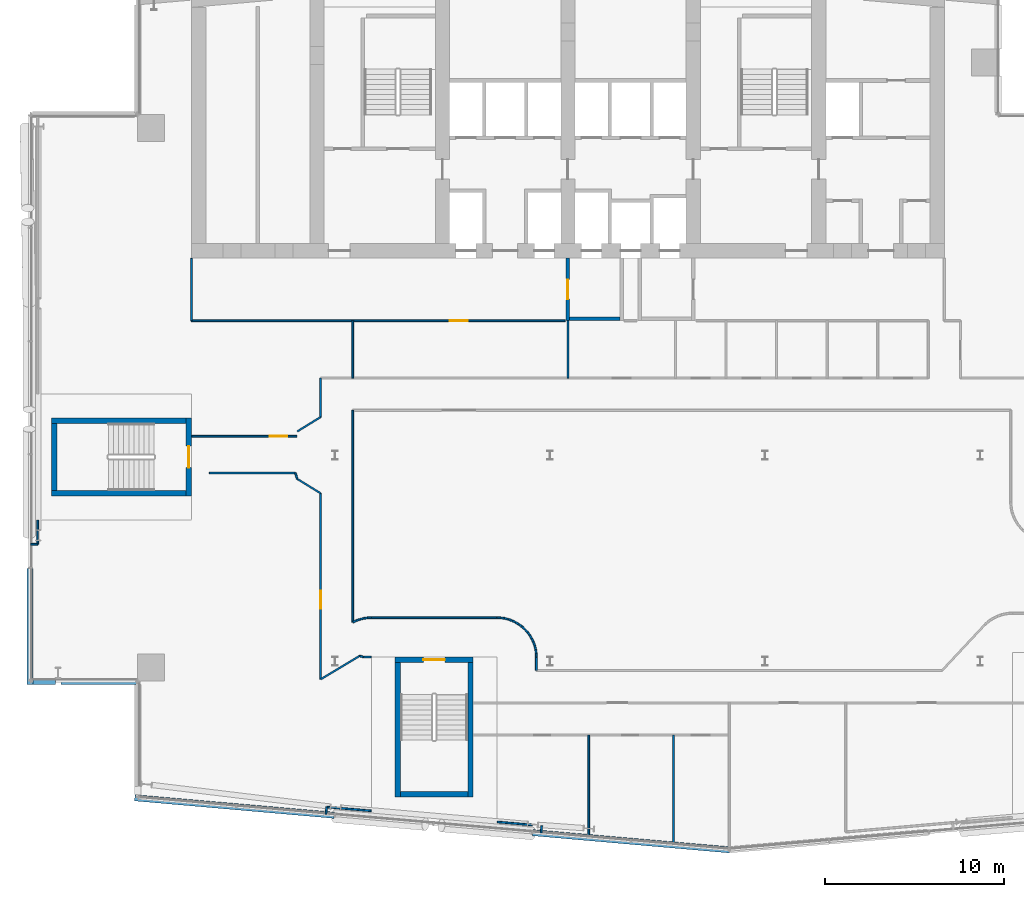
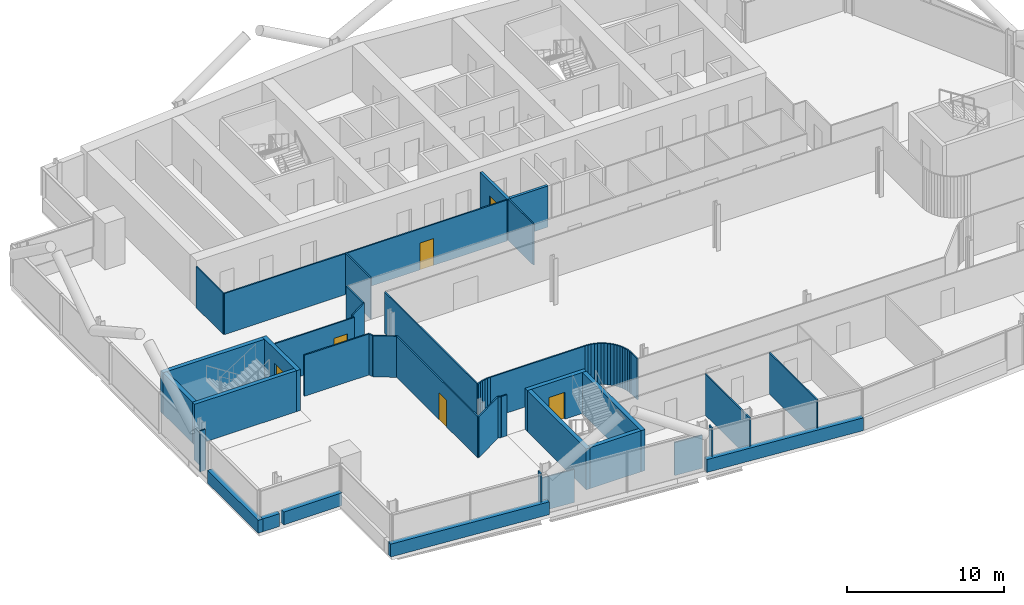
# One storey, part 15 of 29: 61 walls, 6 doors, 6 openings.
"""IFC4 building model written with IfcOpenShell, lengths in metres."""

from ifc_helpers import new_model, si_unit, direction, frame, frame_2d, origin, place, context, subcontext, project, spatial, rectangle, extrude, material, layer, layer_set, type_object, element, fill, save


model = new_model("IFC4")

# Units and contexts
model_context = context("Model", 3, precision=1e-05, world=origin(), true_north=direction((0.0, 1.0)))
body_context = subcontext(model_context, "Body", "Model", "MODEL_VIEW")
ifc_project = project(units=[si_unit("LENGTHUNIT", "METRE"), si_unit("AREAUNIT", "SQUARE_METRE"), si_unit("VOLUMEUNIT", "CUBIC_METRE"), si_unit("PLANEANGLEUNIT", "RADIAN"), si_unit("MASSUNIT", "GRAM", prefix="KILO")], contexts=[model_context])

# Site, building, storey
site_placement = place(None, origin())
site = spatial("IfcSite", under=ifc_project, at=site_placement, CompositionType="ELEMENT")
building_placement = place(site_placement, origin())
building = spatial("IfcBuilding", under=site, at=building_placement, Name="Wharfspan Tower", CompositionType="ELEMENT")
storey_placement = place(building_placement, frame((0.0, 0.0, 155.5)))
storey = spatial("IfcBuildingStorey", under=building, at=storey_placement, Name="L37", CompositionType="ELEMENT", Elevation=155.5)

# Wall
ifc_material_1 = material(Name="Gypsum board on steel studs", Category="steel")
ifc_layer_1 = layer(ifc_material_1, 0.100098)
ifc_layer_set_1 = layer_set([ifc_layer_1], Name="Gypsum board on steel studs")
wall_type_1 = type_object("IfcWallType", Name="Compartment wall 100 EI 60", PredefinedType="PARTITIONING", material=ifc_layer_set_1)
wall_1_placement = place(storey_placement, frame((16.0, 30.5, 0.0), z_axis=(0.0, 0.0, 1.0), x_axis=(0.0, 1.0, 0.0)))
element("IfcWall", 1, at=wall_1_placement, inside=storey, type_object=wall_type_1, Name="Partition L37.w004", PredefinedType="PARTITIONING", context=body_context, shape_type="SweptSolid", body=[
    extrude(rectangle(XDim=3.47998, YDim=0.100098, at=frame_2d((1.73999, 0.0))), origin(), (0.0, 0.0, 1.0), 3.199951),
])

# Wall, opening, door
wall_2_placement = place(storey_placement, frame((16.0, 30.5, 0.0), z_axis=(0.0, 0.0, 1.0), x_axis=(1.0, 0.0, 0.0)))
wall_2 = element("IfcWall", 2, at=wall_2_placement, inside=storey, type_object=wall_type_1, Name="Partition L37.w005", PredefinedType="PARTITIONING", context=body_context, shape_type="SweptSolid", body=[
    extrude(rectangle(XDim=20.850098, YDim=0.100098, at=frame_2d((10.425049, 0.0))), origin(), (0.0, 0.0, 1.0), 3.199951),
])
opening_1_placement = place(wall_2_placement, frame((14.419922, 0.0, 0.0)))
opening_1 = element("IfcOpeningElement", 3, at=opening_1_placement, cuts=wall_2, Name="Opening C2-18", PredefinedType="OPENING", context=body_context, shape_type="SweptSolid", body=[
    extrude(rectangle(XDim=1.0, YDim=2.100098, at=frame_2d((0.5, 1.050049))), frame((0.0, 0.060059, 0.0), z_axis=(0.0, -1.0, 0.0), x_axis=(1.0, 0.0, 0.0)), (0.0, 0.0, 1.0), 0.120117),
])
ifc_material_2 = material(Name="Fire-rated timber door leaf in steel frame", Category="steel")
door_type_1 = type_object("IfcDoorType", Name="Door 1000 FD30S Left", OperationType="SINGLE_SWING_LEFT", PredefinedType="DOOR", material=ifc_material_2)
door_1_placement = place(opening_1_placement, origin())
door_1 = element("IfcDoor", 4, at=door_1_placement, inside=storey, type_object=door_type_1, Name="Door C2-18", OperationType="SINGLE_SWING_LEFT", OverallHeight=2.100098, OverallWidth=1.0, PredefinedType="DOOR", context=body_context, shape_type="SweptSolid", body=[
    extrude(rectangle(XDim=1.0, YDim=2.100098, at=frame_2d((0.5, 1.050049))), frame((0.0, 0.024902, 0.0), z_axis=(0.0, -1.0, 0.0), x_axis=(1.0, 0.0, 0.0)), (0.0, 0.0, 1.0), 0.050049),
])
fill(opening_1, door_1)

# Wall
wall_3_placement = place(storey_placement, frame((17.0, 22.0, 0.0), z_axis=(0.0, 0.0, 1.0), x_axis=(1.0, 0.0, 0.0)))
element("IfcWall", 5, at=wall_3_placement, inside=storey, type_object=wall_type_1, Name="Partition L37.w006", PredefinedType="PARTITIONING", context=body_context, shape_type="SweptSolid", body=[
    extrude(rectangle(XDim=4.794922, YDim=0.100098, at=frame_2d((2.397461, 0.0))), origin(), (0.0, 0.0, 1.0), 3.199951),
])

# Wall, opening, door
wall_4_placement = place(storey_placement, frame((16.02002, 24.050049, 0.0), z_axis=(0.0, 0.0, 1.0), x_axis=(1.0, 0.0, 0.0)))
wall_4 = element("IfcWall", 6, at=wall_4_placement, inside=storey, type_object=wall_type_1, Name="Partition L37.w007", PredefinedType="PARTITIONING", context=body_context, shape_type="SweptSolid", body=[
    extrude(rectangle(XDim=5.85498, YDim=0.100098, at=frame_2d((2.92749, 0.0))), origin(), (0.0, 0.0, 1.0), 3.199951),
])
opening_2_placement = place(wall_4_placement, frame((4.33252, 0.0, 0.0)))
opening_2 = element("IfcOpeningElement", 7, at=opening_2_placement, cuts=wall_4, Name="Opening C2-09", PredefinedType="OPENING", context=body_context, shape_type="SweptSolid", body=[
    extrude(rectangle(XDim=1.0, YDim=2.100098, at=frame_2d((0.5, 1.050049))), frame((0.0, 0.060059, 0.0), z_axis=(0.0, -1.0, 0.0), x_axis=(1.0, 0.0, 0.0)), (0.0, 0.0, 1.0), 0.120117),
])
door_type_2 = type_object("IfcDoorType", Name="Door 1000 FD30S Right", OperationType="SINGLE_SWING_RIGHT", PredefinedType="DOOR", material=ifc_material_2)
door_2_placement = place(opening_2_placement, origin())
door_2 = element("IfcDoor", 8, at=door_2_placement, inside=storey, type_object=door_type_2, Name="Door C2-09", OperationType="SINGLE_SWING_RIGHT", OverallHeight=2.100098, OverallWidth=1.0, PredefinedType="DOOR", context=body_context, shape_type="SweptSolid", body=[
    extrude(rectangle(XDim=1.0, YDim=2.100098, at=frame_2d((0.5, 1.050049))), frame((0.0, 0.024902, 0.0), z_axis=(0.0, -1.0, 0.0), x_axis=(1.0, 0.0, 0.0)), (0.0, 0.0, 1.0), 0.050049),
])
fill(opening_2, door_2)

# Walls
wall_5_placement = place(storey_placement, frame((21.899902, 21.675049, 0.0), z_axis=(0.0, 0.0, 1.0), x_axis=(-0.30742, 0.951572, 0.0)))
element("IfcWall", 9, at=wall_5_placement, inside=storey, type_object=wall_type_1, Name="Partition L37.w008", PredefinedType="PARTITIONING", context=body_context, shape_type="SweptSolid", body=[
    extrude(rectangle(XDim=0.341553, YDim=0.100098, at=frame_2d((0.170898, 0.0))), origin(), (0.0, 0.0, 1.0), 3.199951),
])
for number, where, z_axis, x_axis, name in (
    (10, (21.899902, 24.324951, 0.0), (0.0, 0.0, 1.0), (0.851649, 0.524104, 0.0), "Partition L37.w009"),
    (11, (23.199951, 20.875, 0.0), (0.0, 0.0, 1.0), (-0.851649, 0.524104, 0.0), "Partition L37.w010"),
):
    element("IfcWall", number, at=place(storey_placement, frame(where, z_axis=z_axis, x_axis=x_axis)), inside=storey, type_object=wall_type_1, Name=name, PredefinedType="PARTITIONING", context=body_context, shape_type="SweptSolid", body=[
        extrude(rectangle(XDim=1.526611, YDim=0.100098, at=frame_2d((0.763184, 0.0))), origin(), (0.0, 0.0, 1.0), 3.199951),
    ])
wall_6_placement = place(storey_placement, frame((23.199951, 10.495117, 0.0), z_axis=(0.0, 0.0, 1.0), x_axis=(0.857707, 0.514145, 0.0)))
element("IfcWall", 12, at=wall_6_placement, inside=storey, type_object=wall_type_1, Name="Partition L37.w011", PredefinedType="PARTITIONING", context=body_context, shape_type="SweptSolid", body=[
    extrude(rectangle(XDim=2.547607, YDim=0.100098, at=frame_2d((1.273926, 0.0))), origin(), (0.0, 0.0, 1.0), 3.199951),
])

# Wall, opening, door
wall_7_placement = place(storey_placement, frame((23.199951, 10.495117, 0.0), z_axis=(0.0, 0.0, 1.0), x_axis=(0.0, 1.0, 0.0)))
wall_7 = element("IfcWall", 13, at=wall_7_placement, inside=storey, type_object=wall_type_1, Name="Partition L37.w012", PredefinedType="PARTITIONING", context=body_context, shape_type="SweptSolid", body=[
    extrude(rectangle(XDim=10.379883, YDim=0.100098, at=frame_2d((5.189941, 0.0))), origin(), (0.0, 0.0, 1.0), 3.199951),
])
opening_3_placement = place(wall_7_placement, frame((3.947998, 0.0, 0.0)))
opening_3 = element("IfcOpeningElement", 14, at=opening_3_placement, cuts=wall_7, Name="Opening C2-07", PredefinedType="OPENING", context=body_context, shape_type="SweptSolid", body=[
    extrude(rectangle(XDim=1.0, YDim=2.100098, at=frame_2d((0.5, 1.050049))), frame((0.0, 0.060059, 0.0), z_axis=(0.0, -1.0, 0.0), x_axis=(1.0, 0.0, 0.0)), (0.0, 0.0, 1.0), 0.120117),
])
door_3_placement = place(opening_3_placement, origin())
door_3 = element("IfcDoor", 15, at=door_3_placement, inside=storey, type_object=door_type_1, Name="Door C2-07", OperationType="SINGLE_SWING_LEFT", OverallHeight=2.100098, OverallWidth=1.0, PredefinedType="DOOR", context=body_context, shape_type="SweptSolid", body=[
    extrude(rectangle(XDim=1.0, YDim=2.100098, at=frame_2d((0.5, 1.050049))), frame((0.0, 0.024902, 0.0), z_axis=(0.0, -1.0, 0.0), x_axis=(1.0, 0.0, 0.0)), (0.0, 0.0, 1.0), 0.050049),
])
fill(opening_3, door_3)

# Walls
wall_8_placement = place(storey_placement, frame((23.199951, 25.125, 0.0), z_axis=(0.0, 0.0, 1.0), x_axis=(0.0, 1.0, 0.0)))
element("IfcWall", 16, at=wall_8_placement, inside=storey, type_object=wall_type_1, Name="Partition L37.w013", PredefinedType="PARTITIONING", context=body_context, shape_type="SweptSolid", body=[
    extrude(rectangle(XDim=2.175049, YDim=0.100098, at=frame_2d((1.087402, 0.0))), origin(), (0.0, 0.0, 1.0), 3.199951),
])
wall_9_placement = place(storey_placement, frame((25.0, 27.300049, 0.0), z_axis=(0.0, 0.0, 1.0), x_axis=(0.0, 1.0, 0.0)))
element("IfcWall", 17, at=wall_9_placement, inside=storey, type_object=wall_type_1, Name="Partition L37.w016", PredefinedType="PARTITIONING", context=body_context, shape_type="SweptSolid", body=[
    extrude(rectangle(XDim=3.199951, YDim=0.100098, at=frame_2d((1.600098, 0.0))), origin(), (0.0, 0.0, 1.0), 3.199951),
])
wall_10_placement = place(storey_placement, frame((25.0, 13.675049, 0.0), z_axis=(0.0, 0.0, 1.0), x_axis=(0.0, 1.0, 0.0)))
element("IfcWall", 18, at=wall_10_placement, inside=storey, type_object=wall_type_1, Name="Partition L37.w017", PredefinedType="PARTITIONING", context=body_context, shape_type="SweptSolid", body=[
    extrude(rectangle(XDim=11.824951, YDim=0.100098, at=frame_2d((5.912598, 0.0))), origin(), (0.0, 0.0, 1.0), 3.199951),
])
wall_11_placement = place(storey_placement, frame((25.0, 13.675049, 0.0), z_axis=(0.0, 0.0, 1.0), x_axis=(0.899103, 0.437736, 0.0)))
element("IfcWall", 19, at=wall_11_placement, inside=storey, type_object=wall_type_1, Name="Partition L37.w018", PredefinedType="PARTITIONING", context=body_context, shape_type="SweptSolid", body=[
    extrude(rectangle(XDim=0.217041, YDim=0.100098, at=frame_2d((0.108398, 0.0))), origin(), (0.0, 0.0, 1.0), 3.199951),
])
wall_12_placement = place(storey_placement, frame((25.195068, 13.77002, 0.0), z_axis=(0.0, 0.0, 1.0), x_axis=(0.94617, 0.32366, 0.0)))
element("IfcWall", 20, at=wall_12_placement, inside=storey, type_object=wall_type_1, Name="Partition L37.w020", PredefinedType="PARTITIONING", context=body_context, shape_type="SweptSolid", body=[
    extrude(rectangle(XDim=0.216553, YDim=0.100098, at=frame_2d((0.108398, 0.0))), origin(), (0.0, 0.0, 1.0), 3.199951),
])
wall_13_placement = place(storey_placement, frame((25.399902, 13.840088, 0.0), z_axis=(0.0, 0.0, 1.0), x_axis=(0.967508, 0.252833, 0.0)))
element("IfcWall", 21, at=wall_13_placement, inside=storey, type_object=wall_type_1, Name="Partition L37.w021", PredefinedType="PARTITIONING", context=body_context, shape_type="SweptSolid", body=[
    extrude(rectangle(XDim=0.217285, YDim=0.100098, at=frame_2d((0.108643, 0.0))), origin(), (0.0, 0.0, 1.0), 3.199951),
])
wall_14_placement = place(storey_placement, frame((25.590088, 11.735107, 0.0), z_axis=(0.0, 0.0, 1.0), x_axis=(1.0, 0.0, 0.0)))
element("IfcWall", 22, at=wall_14_placement, inside=storey, type_object=wall_type_1, Name="Partition L37.w022", PredefinedType="PARTITIONING", context=body_context, shape_type="SweptSolid", body=[
    extrude(rectangle(XDim=0.429199, YDim=0.100098, at=frame_2d((0.2146, 0.0))), origin(), (0.0, 0.0, 1.0), 3.199951),
])
wall_15_placement = place(storey_placement, frame((25.590088, 11.735107, 0.0), z_axis=(0.0, 0.0, 1.0), x_axis=(-0.946633, 0.322306, 0.0)))
element("IfcWall", 23, at=wall_15_placement, inside=storey, type_object=wall_type_1, Name="Partition L37.w023", PredefinedType="PARTITIONING", context=body_context, shape_type="SweptSolid", body=[
    extrude(rectangle(XDim=0.216553, YDim=0.100098, at=frame_2d((0.108398, 0.0))), origin(), (0.0, 0.0, 1.0), 3.199951),
])
wall_16_placement = place(storey_placement, frame((25.610107, 13.89502, 0.0), z_axis=(0.0, 0.0, 1.0), x_axis=(0.990372, 0.138427, 0.0)))
element("IfcWall", 24, at=wall_16_placement, inside=storey, type_object=wall_type_1, Name="Partition L37.w024", PredefinedType="PARTITIONING", context=body_context, shape_type="SweptSolid", body=[
    extrude(rectangle(XDim=0.217041, YDim=0.100098, at=frame_2d((0.108398, 0.0))), origin(), (0.0, 0.0, 1.0), 3.199951),
])
wall_17_placement = place(storey_placement, frame((25.824951, 13.925049, 0.0), z_axis=(0.0, 0.0, 1.0), x_axis=(0.998923, 0.046488, 0.0)))
element("IfcWall", 25, at=wall_17_placement, inside=storey, type_object=wall_type_1, Name="Partition L37.w025", PredefinedType="PARTITIONING", context=body_context, shape_type="SweptSolid", body=[
    extrude(rectangle(XDim=0.215332, YDim=0.100098, at=frame_2d((0.107666, 0.0))), origin(), (0.0, 0.0, 1.0), 3.199951),
])
wall_18_placement = place(storey_placement, frame((26.040039, 13.935059, 0.0), z_axis=(0.0, 0.0, 1.0), x_axis=(1.0, 0.0, 0.0)))
element("IfcWall", 26, at=wall_18_placement, inside=storey, type_object=wall_type_1, Name="Partition L37.w027", PredefinedType="PARTITIONING", context=body_context, shape_type="SweptSolid", body=[
    extrude(rectangle(XDim=7.0, YDim=0.100098, at=frame_2d((3.5, 0.0))), origin(), (0.0, 0.0, 1.0), 3.199951),
])
wall_19_placement = place(storey_placement, frame((33.254883, 13.925049, 0.0), z_axis=(0.0, 0.0, 1.0), x_axis=(-0.998912, 0.04654, 0.0)))
element("IfcWall", 27, at=wall_19_placement, inside=storey, type_object=wall_type_1, Name="Partition L37.w030", PredefinedType="PARTITIONING", context=body_context, shape_type="SweptSolid", body=[
    extrude(rectangle(XDim=0.215088, YDim=0.100098, at=frame_2d((0.107422, 0.0))), origin(), (0.0, 0.0, 1.0), 3.199951),
])
wall_20_placement = place(storey_placement, frame((33.469971, 13.89502, 0.0), z_axis=(0.0, 0.0, 1.0), x_axis=(-0.990394, 0.138273, 0.0)))
element("IfcWall", 28, at=wall_20_placement, inside=storey, type_object=wall_type_1, Name="Partition L37.w031", PredefinedType="PARTITIONING", context=body_context, shape_type="SweptSolid", body=[
    extrude(rectangle(XDim=0.217285, YDim=0.100098, at=frame_2d((0.108643, 0.0))), origin(), (0.0, 0.0, 1.0), 3.199951),
])
wall_21_placement = place(storey_placement, frame((33.679932, 13.840088, 0.0), z_axis=(0.0, 0.0, 1.0), x_axis=(-0.967435, 0.253108, 0.0)))
element("IfcWall", 29, at=wall_21_placement, inside=storey, type_object=wall_type_1, Name="Partition L37.w032", PredefinedType="PARTITIONING", context=body_context, shape_type="SweptSolid", body=[
    extrude(rectangle(XDim=0.217041, YDim=0.100098, at=frame_2d((0.108398, 0.0))), origin(), (0.0, 0.0, 1.0), 3.199951),
])
wall_22_placement = place(storey_placement, frame((33.879883, 13.77002, 0.0), z_axis=(0.0, 0.0, 1.0), x_axis=(-0.943736, 0.330711, 0.0)))
element("IfcWall", 30, at=wall_22_placement, inside=storey, type_object=wall_type_1, Name="Partition L37.w033", PredefinedType="PARTITIONING", context=body_context, shape_type="SweptSolid", body=[
    extrude(rectangle(XDim=0.211914, YDim=0.100098, at=frame_2d((0.105957, 0.0))), origin(), (0.0, 0.0, 1.0), 3.199951),
])
wall_23_placement = place(storey_placement, frame((34.074951, 13.675049, 0.0), z_axis=(0.0, 0.0, 1.0), x_axis=(-0.899103, 0.437736, 0.0)))
element("IfcWall", 31, at=wall_23_placement, inside=storey, type_object=wall_type_1, Name="Partition L37.w034", PredefinedType="PARTITIONING", context=body_context, shape_type="SweptSolid", body=[
    extrude(rectangle(XDim=0.217041, YDim=0.100098, at=frame_2d((0.108398, 0.0))), origin(), (0.0, 0.0, 1.0), 3.199951),
])
wall_24_placement = place(storey_placement, frame((34.26001, 13.564941, 0.0), z_axis=(0.0, 0.0, 1.0), x_axis=(-0.859387, 0.511324, 0.0)))
element("IfcWall", 32, at=wall_24_placement, inside=storey, type_object=wall_type_1, Name="Partition L37.w035", PredefinedType="PARTITIONING", context=body_context, shape_type="SweptSolid", body=[
    extrude(rectangle(XDim=0.215332, YDim=0.100098, at=frame_2d((0.107666, 0.0))), origin(), (0.0, 0.0, 1.0), 3.199951),
])
wall_25_placement = place(storey_placement, frame((34.435059, 13.435059, 0.0), z_axis=(0.0, 0.0, 1.0), x_axis=(-0.803079, 0.595869, 0.0)))
element("IfcWall", 33, at=wall_25_placement, inside=storey, type_object=wall_type_1, Name="Partition L37.w036", PredefinedType="PARTITIONING", context=body_context, shape_type="SweptSolid", body=[
    extrude(rectangle(XDim=0.218018, YDim=0.100098, at=frame_2d((0.108887, 0.0))), origin(), (0.0, 0.0, 1.0), 3.199951),
])
wall_26_placement = place(storey_placement, frame((34.594971, 13.290039, 0.0), z_axis=(0.0, 0.0, 1.0), x_axis=(-0.740762, 0.671775, 0.0)))
element("IfcWall", 34, at=wall_26_placement, inside=storey, type_object=wall_type_1, Name="Partition L37.w037", PredefinedType="PARTITIONING", context=body_context, shape_type="SweptSolid", body=[
    extrude(rectangle(XDim=0.21582, YDim=0.100098, at=frame_2d((0.10791, 0.0))), origin(), (0.0, 0.0, 1.0), 3.199951),
])
wall_27_placement = place(storey_placement, frame((34.73999, 13.129883, 0.0), z_axis=(0.0, 0.0, 1.0), x_axis=(-0.67121, 0.741269, 0.0)))
element("IfcWall", 35, at=wall_27_placement, inside=storey, type_object=wall_type_1, Name="Partition L37.w038", PredefinedType="PARTITIONING", context=body_context, shape_type="SweptSolid", body=[
    extrude(rectangle(XDim=0.216064, YDim=0.100098, at=frame_2d((0.10791, 0.0))), origin(), (0.0, 0.0, 1.0), 3.199951),
])
wall_28_placement = place(storey_placement, frame((34.870117, 12.955078, 0.0), z_axis=(0.0, 0.0, 1.0), x_axis=(-0.597126, 0.802143, 0.0)))
element("IfcWall", 36, at=wall_28_placement, inside=storey, type_object=wall_type_1, Name="Partition L37.w039", PredefinedType="PARTITIONING", context=body_context, shape_type="SweptSolid", body=[
    extrude(rectangle(XDim=0.218018, YDim=0.100098, at=frame_2d((0.108887, 0.0))), origin(), (0.0, 0.0, 1.0), 3.199951),
])
wall_29_placement = place(storey_placement, frame((34.97998, 12.77002, 0.0), z_axis=(0.0, 0.0, 1.0), x_axis=(-0.510487, 0.859887, 0.0)))
element("IfcWall", 37, at=wall_29_placement, inside=storey, type_object=wall_type_1, Name="Partition L37.w040", PredefinedType="PARTITIONING", context=body_context, shape_type="SweptSolid", body=[
    extrude(rectangle(XDim=0.215332, YDim=0.100098, at=frame_2d((0.107666, 0.0))), origin(), (0.0, 0.0, 1.0), 3.199951),
])
wall_30_placement = place(storey_placement, frame((35.074951, 12.574951, 0.0), z_axis=(0.0, 0.0, 1.0), x_axis=(-0.437736, 0.899103, 0.0)))
element("IfcWall", 38, at=wall_30_placement, inside=storey, type_object=wall_type_1, Name="Partition L37.w042", PredefinedType="PARTITIONING", context=body_context, shape_type="SweptSolid", body=[
    extrude(rectangle(XDim=0.217041, YDim=0.100098, at=frame_2d((0.108398, 0.0))), origin(), (0.0, 0.0, 1.0), 3.199951),
])
wall_31_placement = place(storey_placement, frame((35.14502, 12.375, 0.0), z_axis=(0.0, 0.0, 1.0), x_axis=(-0.330711, 0.943736, 0.0)))
element("IfcWall", 39, at=wall_31_placement, inside=storey, type_object=wall_type_1, Name="Partition L37.w043", PredefinedType="PARTITIONING", context=body_context, shape_type="SweptSolid", body=[
    extrude(rectangle(XDim=0.211914, YDim=0.100098, at=frame_2d((0.105957, 0.0))), origin(), (0.0, 0.0, 1.0), 3.199951),
])
wall_32_placement = place(storey_placement, frame((35.199951, 12.165039, 0.0), z_axis=(0.0, 0.0, 1.0), x_axis=(-0.253108, 0.967435, 0.0)))
element("IfcWall", 40, at=wall_32_placement, inside=storey, type_object=wall_type_1, Name="Partition L37.w044", PredefinedType="PARTITIONING", context=body_context, shape_type="SweptSolid", body=[
    extrude(rectangle(XDim=0.217041, YDim=0.100098, at=frame_2d((0.108398, 0.0))), origin(), (0.0, 0.0, 1.0), 3.199951),
])
wall_33_placement = place(storey_placement, frame((35.22998, 11.949951, 0.0), z_axis=(0.0, 0.0, 1.0), x_axis=(-0.138273, 0.990394, 0.0)))
element("IfcWall", 41, at=wall_33_placement, inside=storey, type_object=wall_type_1, Name="Partition L37.w045", PredefinedType="PARTITIONING", context=body_context, shape_type="SweptSolid", body=[
    extrude(rectangle(XDim=0.217285, YDim=0.100098, at=frame_2d((0.108643, 0.0))), origin(), (0.0, 0.0, 1.0), 3.199951),
])
wall_34_placement = place(storey_placement, frame((35.23999, 11.735107, 0.0), z_axis=(0.0, 0.0, 1.0), x_axis=(-0.04654, 0.998912, 0.0)))
element("IfcWall", 42, at=wall_34_placement, inside=storey, type_object=wall_type_1, Name="Partition L37.w046", PredefinedType="PARTITIONING", context=body_context, shape_type="SweptSolid", body=[
    extrude(rectangle(XDim=0.215088, YDim=0.100098, at=frame_2d((0.107422, 0.0))), origin(), (0.0, 0.0, 1.0), 3.199951),
])
wall_35_placement = place(storey_placement, frame((35.23999, 10.98999, 0.0), z_axis=(0.0, 0.0, 1.0), x_axis=(0.0, 1.0, 0.0)))
element("IfcWall", 43, at=wall_35_placement, inside=storey, type_object=wall_type_1, Name="Partition L37.w047", PredefinedType="PARTITIONING", context=body_context, shape_type="SweptSolid", body=[
    extrude(rectangle(XDim=0.745117, YDim=0.100098, at=frame_2d((0.372559, 0.0))), origin(), (0.0, 0.0, 1.0), 3.199951),
])
wall_36_placement = place(storey_placement, frame((37.0, 27.300049, 0.0), z_axis=(0.0, 0.0, 1.0), x_axis=(0.0, 1.0, 0.0)))
element("IfcWall", 44, at=wall_36_placement, inside=storey, type_object=wall_type_1, Name="Partition L37.w050", PredefinedType="PARTITIONING", context=body_context, shape_type="SweptSolid", body=[
    extrude(rectangle(XDim=3.199951, YDim=0.100098, at=frame_2d((1.600098, 0.0))), origin(), (0.0, 0.0, 1.0), 3.199951),
])

# Wall, opening, door
ifc_material_3 = material(Name="Concrete C30/37", Category="concrete")
ifc_layer_2 = layer(ifc_material_3, 0.199951)
ifc_layer_set_2 = layer_set([ifc_layer_2], Name="Concrete C30/37")
wall_type_2 = type_object("IfcWallType", Name="Lobby wall 200", PredefinedType="PARTITIONING", material=ifc_layer_set_2)
wall_37_placement = place(storey_placement, frame((37.0, 30.5, 0.0), z_axis=(0.0, 0.0, 1.0), x_axis=(0.0, 1.0, 0.0)))
wall_37 = element("IfcWall", 45, at=wall_37_placement, inside=storey, type_object=wall_type_2, Name="sw:L37:FLFF1W", PredefinedType="PARTITIONING", context=body_context, shape_type="SweptSolid", body=[
    extrude(rectangle(XDim=3.5, YDim=0.199951, at=frame_2d((1.75, 0.0))), origin(), (0.0, 0.0, 1.0), 3.199951),
])
opening_4_placement = place(wall_37_placement, frame((1.199951, 0.0, 0.0)))
opening_4 = element("IfcOpeningElement", 46, at=opening_4_placement, cuts=wall_37, Name="Opening FL.FF1.L37", PredefinedType="OPENING", context=body_context, shape_type="SweptSolid", body=[
    extrude(rectangle(XDim=1.100098, YDim=2.100098, at=frame_2d((0.550049, 1.050049))), frame((0.0, 0.109863, 0.0), z_axis=(0.0, -1.0, 0.0), x_axis=(1.0, 0.0, 0.0)), (0.0, 0.0, 1.0), 0.219971),
])
ifc_material_4 = material(Name="Steel door leaf", Category="steel")
door_type_3 = type_object("IfcDoorType", Name="Firefighting lobby door 1100x2100", OperationType="SINGLE_SWING_LEFT", PredefinedType="DOOR", material=ifc_material_4)
door_4_placement = place(opening_4_placement, origin())
door_4 = element("IfcDoor", 47, at=door_4_placement, inside=storey, type_object=door_type_3, Name="fd:L37:FF1", OperationType="SINGLE_SWING_LEFT", OverallHeight=2.100098, OverallWidth=1.100098, PredefinedType="DOOR", context=body_context, shape_type="SweptSolid", body=[
    extrude(rectangle(XDim=1.100098, YDim=2.100098, at=frame_2d((0.550049, 1.050049))), frame((0.0, 0.024902, 0.0), z_axis=(0.0, -1.0, 0.0), x_axis=(1.0, 0.0, 0.0)), (0.0, 0.0, 1.0), 0.050049),
])
fill(opening_4, door_4)

# Walls
wall_38_placement = place(storey_placement, frame((37.100098, 30.600098, 0.0), z_axis=(0.0, 0.0, 1.0), x_axis=(1.0, 0.0, 0.0)))
element("IfcWall", 48, at=wall_38_placement, inside=storey, type_object=wall_type_2, Name="sw:L37:FLFF1F", PredefinedType="PARTITIONING", context=body_context, shape_type="SweptSolid", body=[
    extrude(rectangle(XDim=2.799805, YDim=0.199951, at=frame_2d((1.399902, 0.0))), origin(), (0.0, 0.0, 1.0), 3.199951),
])
ifc_layer_3 = layer(ifc_material_1, 0.100098)
ifc_layer_set_3 = layer_set([ifc_layer_3], Name="Gypsum board on steel studs")
wall_type_3 = type_object("IfcWallType", Name="Partition 100", PredefinedType="PARTITIONING", material=ifc_layer_set_3)
wall_39_placement = place(storey_placement, frame((7.02002, 18.034912, 0.0), z_axis=(0.0, 0.0, 1.0), x_axis=(1.0, 0.0, 0.0)))
element("IfcWall", 49, at=wall_39_placement, inside=storey, type_object=wall_type_3, Name="Partition L37.w001", PredefinedType="PARTITIONING", context=body_context, shape_type="SweptSolid", body=[
    extrude(rectangle(XDim=0.399902, YDim=0.100098, at=frame_2d((0.199951, 0.0))), origin(), (0.0, 0.0, 1.0), 3.199951),
])
wall_40_placement = place(storey_placement, frame((7.419922, 18.034912, 0.0), z_axis=(0.0, 0.0, 1.0), x_axis=(0.0, 1.0, 0.0)))
element("IfcWall", 50, at=wall_40_placement, inside=storey, type_object=wall_type_3, Name="Partition L37.w002", PredefinedType="PARTITIONING", context=body_context, shape_type="SweptSolid", body=[
    extrude(rectangle(XDim=1.344971, YDim=0.100098, at=frame_2d((0.672363, 0.0))), origin(), (0.0, 0.0, 1.0), 2.580078),
])
wall_41_placement = place(storey_placement, frame((23.502197, 2.976318, 0.0), z_axis=(0.0, 0.0, 1.0), x_axis=(0.095654, 0.995419, 0.0)))
element("IfcWall", 51, at=wall_41_placement, inside=storey, type_object=wall_type_3, Name="Partition L37.w015", PredefinedType="PARTITIONING", context=body_context, shape_type="SweptSolid", body=[
    extrude(rectangle(XDim=0.395508, YDim=0.100098, at=frame_2d((0.197754, 0.0))), origin(), (0.0, 0.0, 1.0), 3.199951),
])
wall_42_placement = place(storey_placement, frame((26.019287, 3.156738, 0.0), z_axis=(0.0, 0.0, 1.0), x_axis=(-0.996317, 0.085749, 0.0)))
element("IfcWall", 52, at=wall_42_placement, inside=storey, type_object=wall_type_3, Name="Partition L37.w026", PredefinedType="PARTITIONING", context=body_context, shape_type="SweptSolid", body=[
    extrude(rectangle(XDim=2.488525, YDim=0.100098, at=frame_2d((1.244141, 0.0))), origin(), (0.0, 0.0, 1.0), 2.580078),
])
wall_43_placement = place(storey_placement, frame((35.0, 2.370117, 0.0), z_axis=(0.0, 0.0, 1.0), x_axis=(-0.996265, 0.086343, 0.0)))
element("IfcWall", 53, at=wall_43_placement, inside=storey, type_object=wall_type_3, Name="Partition L37.w041", PredefinedType="PARTITIONING", context=body_context, shape_type="SweptSolid", body=[
    extrude(rectangle(XDim=1.948242, YDim=0.100098, at=frame_2d((0.974121, 0.0))), origin(), (0.0, 0.0, 1.0), 2.580078),
])
wall_44_placement = place(storey_placement, frame((35.501709, 1.926514, 0.0), z_axis=(0.0, 0.0, 1.0), x_axis=(0.083045, 0.996542, 0.0)))
element("IfcWall", 54, at=wall_44_placement, inside=storey, type_object=wall_type_3, Name="Partition L37.w049", PredefinedType="PARTITIONING", context=body_context, shape_type="SweptSolid", body=[
    extrude(rectangle(XDim=0.399902, YDim=0.100098, at=frame_2d((0.199951, 0.0))), origin(), (0.0, 0.0, 1.0), 3.199951),
])
wall_45_placement = place(storey_placement, frame((38.159912, 1.693848, 0.0), z_axis=(0.0, 0.0, 1.0), x_axis=(0.0, 1.0, 0.0)))
element("IfcWall", 55, at=wall_45_placement, inside=storey, type_object=wall_type_3, Name="Partition L37.w051", PredefinedType="PARTITIONING", context=body_context, shape_type="SweptSolid", body=[
    extrude(rectangle(XDim=5.691162, YDim=0.100098, at=frame_2d((2.845703, 0.0))), origin(), (0.0, 0.0, 1.0), 3.199951),
])
wall_46_placement = place(storey_placement, frame((42.889893, 1.280029, 0.0), z_axis=(0.0, 0.0, 1.0), x_axis=(0.0, 1.0, 0.0)))
element("IfcWall", 56, at=wall_46_placement, inside=storey, type_object=wall_type_3, Name="Partition L37.w052", PredefinedType="PARTITIONING", context=body_context, shape_type="SweptSolid", body=[
    extrude(rectangle(XDim=6.10498, YDim=0.100098, at=frame_2d((3.05249, 0.0))), origin(), (0.0, 0.0, 1.0), 3.199951),
])
ifc_material_5 = material(Name="Concrete C40/50", Category="concrete")
ifc_layer_4 = layer(ifc_material_5, 0.350098)
ifc_layer_set_4 = layer_set([ifc_layer_4], Name="Concrete C40/50")
wall_type_4 = type_object("IfcWallType", Name="SPANDREL EXPOSED CONCRETE 350", PredefinedType="SOLIDWALL", material=ifc_layer_set_4)
wall_47_placement = place(storey_placement, frame((12.835205, 3.884521, 0.0), z_axis=(0.0, 0.0, 1.0), x_axis=(0.996199, -0.087154, 0.0)))
element("IfcWall", 57, at=wall_47_placement, inside=storey, type_object=wall_type_4, Name="Spandrel upstand L37 S1 1", PredefinedType="SOLIDWALL", context=body_context, shape_type="SweptSolid", body=[
    extrude(rectangle(XDim=11.177002, YDim=0.350098, at=frame_2d((5.588379, 0.0))), origin(), (0.0, 0.0, 1.0), 1.0),
])
wall_48_placement = place(storey_placement, frame((35.029541, 1.942627, 0.0), z_axis=(0.0, 0.0, 1.0), x_axis=(0.996199, -0.08714, 0.0)))
element("IfcWall", 58, at=wall_48_placement, inside=storey, type_object=wall_type_4, Name="Spandrel upstand L37 S1 2", PredefinedType="SOLIDWALL", context=body_context, shape_type="SweptSolid", body=[
    extrude(rectangle(XDim=11.027588, YDim=0.350098, at=frame_2d((5.513672, 0.0))), origin(), (0.0, 0.0, 1.0), 1.0),
])
wall_49_placement = place(storey_placement, frame((6.995117, 16.689941, 0.0), z_axis=(0.0, 0.0, 1.0), x_axis=(0.0, -1.0, 0.0)))
element("IfcWall", 59, at=wall_49_placement, inside=storey, type_object=wall_type_4, Name="Spandrel upstand L37 W", PredefinedType="SOLIDWALL", context=body_context, shape_type="SweptSolid", body=[
    extrude(rectangle(XDim=6.469971, YDim=0.350098, at=frame_2d((3.234863, 0.0))), origin(), (0.0, 0.0, 1.0), 1.0),
])
wall_50_placement = place(storey_placement, frame((7.169922, 10.39502, 0.0), z_axis=(0.0, 0.0, 1.0), x_axis=(1.0, 0.0, 0.0)))
element("IfcWall", 60, at=wall_50_placement, inside=storey, type_object=wall_type_4, Name="Spandrel upstand L37 NFW-H", PredefinedType="SOLIDWALL", context=body_context, shape_type="SweptSolid", body=[
    extrude(rectangle(XDim=1.238281, YDim=0.350098, at=frame_2d((0.619141, 0.0))), origin(), (0.0, 0.0, 1.0), 1.0),
])
wall_51_placement = place(storey_placement, frame((8.713379, 10.39502, 0.0), z_axis=(0.0, 0.0, 1.0), x_axis=(1.0, 0.0, 0.0)))
element("IfcWall", 61, at=wall_51_placement, inside=storey, type_object=wall_type_4, Name="Spandrel upstand L37 NFW-H 2", PredefinedType="SOLIDWALL", context=body_context, shape_type="SweptSolid", body=[
    extrude(rectangle(XDim=4.286621, YDim=0.350098, at=frame_2d((2.143311, 0.0))), origin(), (0.0, 0.0, 1.0), 1.0),
])

# Wall, opening, door
ifc_layer_5 = layer(ifc_material_5, 0.300049)
ifc_layer_set_5 = layer_set([ifc_layer_5], Name="Concrete C40/50")
wall_type_5 = type_object("IfcWallType", Name="Stair core wall 300", PredefinedType="SHEAR", material=ifc_layer_set_5)
wall_52_placement = place(storey_placement, frame((15.850098, 20.725098, 0.0), z_axis=(0.0, 0.0, 1.0), x_axis=(0.0, 1.0, 0.0)))
wall_52 = element("IfcWall", 62, at=wall_52_placement, inside=storey, type_object=wall_type_5, Name="ST3 stair enclosure wall L37", PredefinedType="SHEAR", context=body_context, shape_type="SweptSolid", body=[
    extrude(rectangle(XDim=4.349854, YDim=0.300049, at=frame_2d((2.174805, 0.0))), origin(), (0.0, 0.0, 1.0), 3.199951),
])
opening_5_placement = place(wall_52_placement, frame((1.574951, 0.0, 0.0)))
opening_5 = element("IfcOpeningElement", 63, at=opening_5_placement, cuts=wall_52, Name="Opening SD3.L37", PredefinedType="OPENING", context=body_context, shape_type="SweptSolid", body=[
    extrude(rectangle(XDim=1.199951, YDim=2.100098, at=frame_2d((0.600098, 1.050049))), frame((0.0, 0.159912, 0.0), z_axis=(0.0, -1.0, 0.0), x_axis=(1.0, 0.0, 0.0)), (0.0, 0.0, 1.0), 0.320068),
])
door_type_4 = type_object("IfcDoorType", Name="Stair door 1200x2100", OperationType="SINGLE_SWING_LEFT", PredefinedType="DOOR", material=ifc_material_4)
door_5_placement = place(opening_5_placement, origin())
door_5 = element("IfcDoor", 64, at=door_5_placement, inside=storey, type_object=door_type_4, Name="sd:L37:ST3z3", OperationType="SINGLE_SWING_RIGHT", OverallHeight=2.100098, OverallWidth=1.199951, PredefinedType="DOOR", context=body_context, shape_type="SweptSolid", body=[
    extrude(rectangle(XDim=1.199951, YDim=2.100098, at=frame_2d((0.600098, 1.050049))), frame((0.0, 0.024902, 0.0), z_axis=(0.0, -1.0, 0.0), x_axis=(1.0, 0.0, 0.0)), (0.0, 0.0, 1.0), 0.050049),
])
fill(opening_5, door_5)

wall_53_placement = place(storey_placement, frame((27.364258, 11.584229, 0.0), z_axis=(0.0, 0.0, 1.0), x_axis=(1.0, 0.0, 0.0)))
wall_53 = element("IfcWall", 65, at=wall_53_placement, inside=storey, type_object=wall_type_5, Name="ST4 stair enclosure wall L37", PredefinedType="SHEAR", context=body_context, shape_type="SweptSolid", body=[
    extrude(rectangle(XDim=4.349854, YDim=0.300049, at=frame_2d((2.174805, 0.0))), origin(), (0.0, 0.0, 1.0), 3.199951),
])
opening_6_placement = place(wall_53_placement, frame((1.574951, 0.0, 0.0)))
opening_6 = element("IfcOpeningElement", 66, at=opening_6_placement, cuts=wall_53, Name="Opening SD4.L37", PredefinedType="OPENING", context=body_context, shape_type="SweptSolid", body=[
    extrude(rectangle(XDim=1.199951, YDim=2.100098, at=frame_2d((0.600098, 1.050049))), frame((0.0, 0.159912, 0.0), z_axis=(0.0, -1.0, 0.0), x_axis=(1.0, 0.0, 0.0)), (0.0, 0.0, 1.0), 0.320068),
])
door_6_placement = place(opening_6_placement, origin())
door_6 = element("IfcDoor", 67, at=door_6_placement, inside=storey, type_object=door_type_4, Name="sd:L37:ST4z3", OperationType="SINGLE_SWING_RIGHT", OverallHeight=2.100098, OverallWidth=1.199951, PredefinedType="DOOR", context=body_context, shape_type="SweptSolid", body=[
    extrude(rectangle(XDim=1.199951, YDim=2.100098, at=frame_2d((0.600098, 1.050049))), frame((0.0, 0.024902, 0.0), z_axis=(0.0, -1.0, 0.0), x_axis=(1.0, 0.0, 0.0)), (0.0, 0.0, 1.0), 0.050049),
])
fill(opening_6, door_6)

# Walls
for number, where, z_axis, x_axis, name in (
    (68, (8.199951, 20.875, 0.0), (0.0, 0.0, 1.0), (1.0, 0.0, 0.0), "ST3 stair enclosure wall L37"),
    (69, (8.199951, 24.925049, 0.0), (0.0, 0.0, 1.0), (1.0, 0.0, 0.0), "ST3 stair enclosure wall L37"),
):
    element("IfcWall", number, at=place(storey_placement, frame(where, z_axis=z_axis, x_axis=x_axis)), inside=storey, type_object=wall_type_5, Name=name, PredefinedType="SHEAR", context=body_context, shape_type="SweptSolid", body=[
        extrude(rectangle(XDim=7.5, YDim=0.300049, at=frame_2d((3.75, 0.0))), origin(), (0.0, 0.0, 1.0), 3.199951),
    ])
wall_54_placement = place(storey_placement, frame((8.350098, 21.024902, 0.0), z_axis=(0.0, 0.0, 1.0), x_axis=(0.0, 1.0, 0.0)))
element("IfcWall", 70, at=wall_54_placement, inside=storey, type_object=wall_type_5, Name="ST3 stair enclosure wall L37", PredefinedType="SHEAR", context=body_context, shape_type="SweptSolid", body=[
    extrude(rectangle(XDim=3.75, YDim=0.300049, at=frame_2d((1.875, 0.0))), origin(), (0.0, 0.0, 1.0), 3.199951),
])
for number, where, z_axis, x_axis, name in (
    (71, (27.51416, 3.934326, 0.0), (0.0, 0.0, 1.0), (0.0, 1.0, 0.0), "ST4 stair enclosure wall L37"),
    (72, (31.564209, 3.934326, 0.0), (0.0, 0.0, 1.0), (0.0, 1.0, 0.0), "ST4 stair enclosure wall L37"),
):
    element("IfcWall", number, at=place(storey_placement, frame(where, z_axis=z_axis, x_axis=x_axis)), inside=storey, type_object=wall_type_5, Name=name, PredefinedType="SHEAR", context=body_context, shape_type="SweptSolid", body=[
        extrude(rectangle(XDim=7.5, YDim=0.300049, at=frame_2d((3.75, 0.0))), origin(), (0.0, 0.0, 1.0), 3.199951),
    ])
wall_55_placement = place(storey_placement, frame((27.664307, 4.084229, 0.0), z_axis=(0.0, 0.0, 1.0), x_axis=(1.0, 0.0, 0.0)))
element("IfcWall", 73, at=wall_55_placement, inside=storey, type_object=wall_type_5, Name="ST4 stair enclosure wall L37", PredefinedType="SHEAR", context=body_context, shape_type="SweptSolid", body=[
    extrude(rectangle(XDim=3.75, YDim=0.300049, at=frame_2d((1.875, 0.0))), origin(), (0.0, 0.0, 1.0), 3.199951),
])

save(model, "model.ifc")
